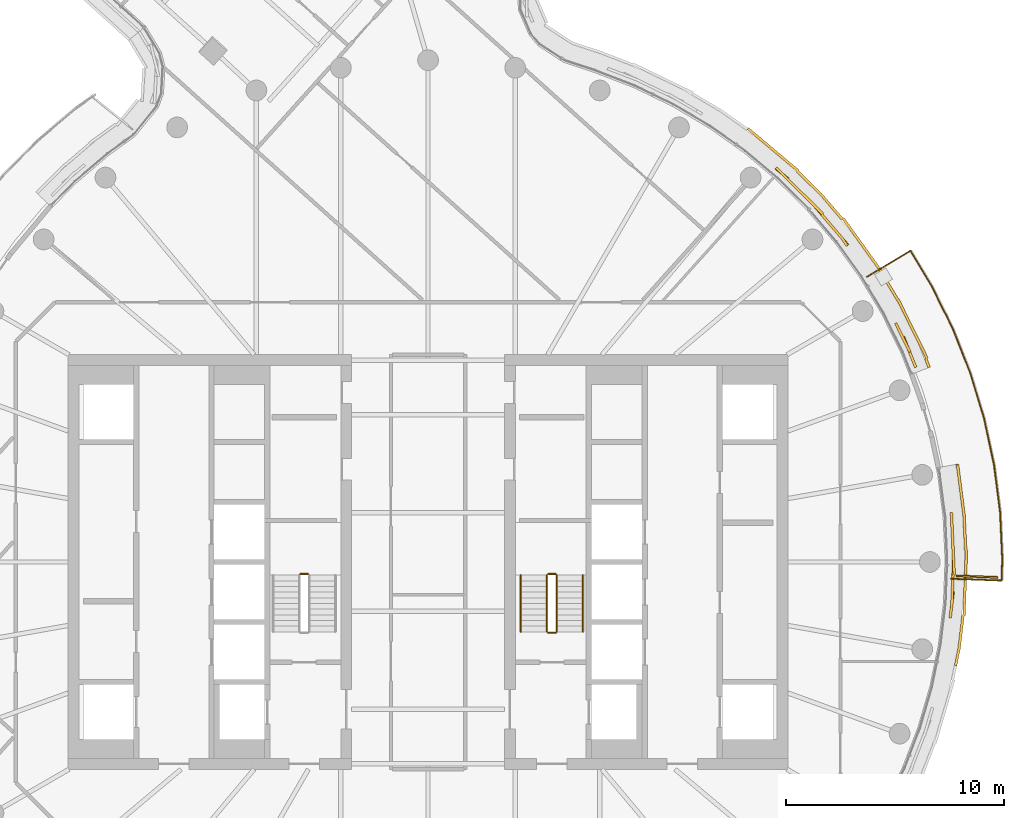
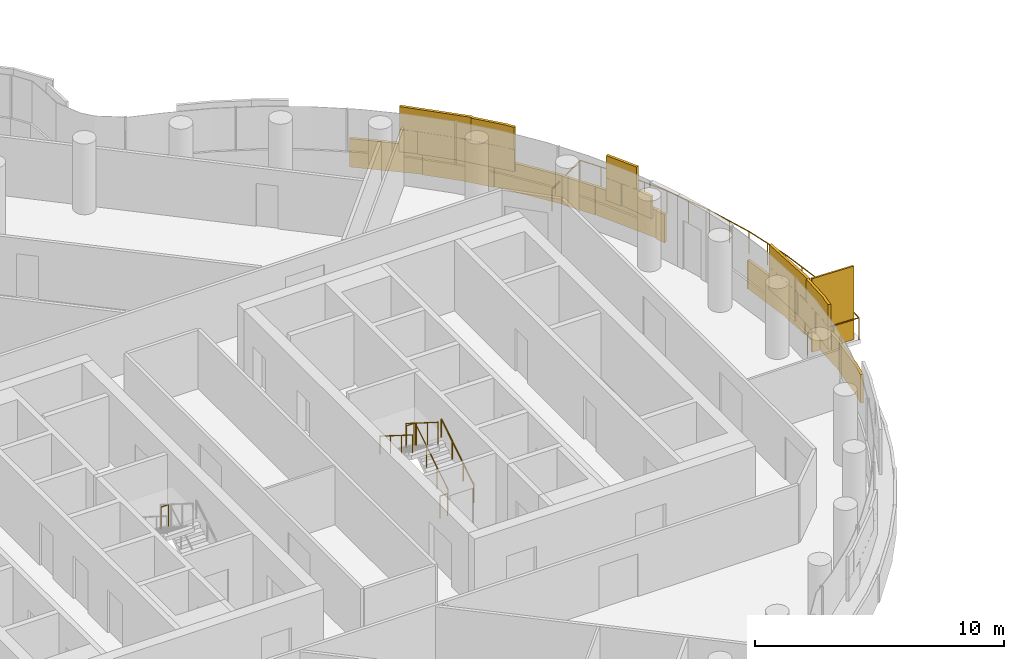
# One storey, part 28 of 31: 8 railings, 3 coverings, 1 shading device.
"""IFC4 building model written with IfcOpenShell, lengths in metres."""

from ifc_helpers import new_model, si_unit, direction, frame, origin, origin_2d, place, context, subcontext, project, spatial, rectangle, circle, extrude, material, layer, layer_set, type_object, element, save


model = new_model("IFC4")

# Units and contexts
model_context = context("Model", 3, precision=1e-05, world=origin(), true_north=direction((0.0, 1.0)))
body_context = subcontext(model_context, "Body", "Model", "MODEL_VIEW")
ifc_project = project(units=[si_unit("LENGTHUNIT", "METRE"), si_unit("AREAUNIT", "SQUARE_METRE"), si_unit("VOLUMEUNIT", "CUBIC_METRE"), si_unit("PLANEANGLEUNIT", "RADIAN"), si_unit("MASSUNIT", "GRAM", prefix="KILO")], contexts=[model_context])

# Site, building, storey
site_placement = place(None, origin())
site = spatial("IfcSite", under=ifc_project, at=site_placement, CompositionType="ELEMENT")
building_placement = place(site_placement, origin())
building = spatial("IfcBuilding", under=site, at=building_placement, Name="Tamarind Cross Interchange Tower", CompositionType="ELEMENT")
storey_placement = place(building_placement, frame((0.0, 0.0, 207.699951171875)))
storey = spatial("IfcBuildingStorey", under=building, at=storey_placement, Name="L52", CompositionType="ELEMENT", Elevation=207.699951171875)

# Railing
ifc_material_1 = material(Name="Stainless steel and laminated glass", Category="steel")
railing_type_1 = type_object("IfcRailingType", Name="Balcony guard", PredefinedType="BALUSTRADE", material=ifc_material_1)
railing_1_placement = place(storey_placement, frame((23.963623046875, -0.766357421875, 0.0)))
element("IfcRailing", 1, at=railing_1_placement, inside=storey, type_object=railing_type_1, Name="Balcony guard 06", PredefinedType="BALUSTRADE", context=body_context, shape_type="SweptSolid", body=[
    extrude(circle(Radius=0.02490234375, at=origin_2d()), frame((0.0, 0.0, 1.0751953125), z_axis=(0.999313680019, -0.037042798585, 0.0), x_axis=(0.037042798585, 0.999313680019, 0.0)), (0.0, 0.0, 1.0), 2.320068359375),
    extrude(circle(Radius=0.02490234375, at=origin_2d()), frame((2.318359375, -0.0859375, 1.0751953125), z_axis=(0.03689016981, 0.999319326027, 0.0), x_axis=(-0.999319326027, 0.03689016981, 0.0)), (0.0, 0.0, 1.0), 0.96630859375),
    extrude(circle(Radius=0.02490234375, at=origin_2d()), frame((2.35400390625, 0.879638671875, 1.0751953125), z_axis=(-0.045570585979, 0.998961121212, 0.0), x_axis=(-0.998961121212, -0.045570585979, 0.0)), (0.0, 0.0, 1.0), 2.175048828125),
    extrude(circle(Radius=0.02490234375, at=origin_2d()), frame((2.2548828125, 3.052490234375, 1.0751953125), z_axis=(-0.127957091824, 0.991779704699, 0.0), x_axis=(-0.991779704699, -0.127957091824, 0.0)), (0.0, 0.0, 1.0), 2.175048828125),
    extrude(circle(Radius=0.02490234375, at=origin_2d()), frame((1.9765625, 5.209716796875, 1.0751953125), z_axis=(-0.209437106955, 0.977822119933, 0.0), x_axis=(-0.977822119933, -0.209437106955, 0.0)), (0.0, 0.0, 1.0), 2.17529296875),
    extrude(circle(Radius=0.02490234375, at=origin_2d()), frame((1.52099609375, 7.336669921875, 1.0751953125), z_axis=(-0.289468424656, 0.957187563191, 0.0), x_axis=(-0.957187563191, -0.289468424656, 0.0)), (0.0, 0.0, 1.0), 2.175048828125),
    extrude(circle(Radius=0.02490234375, at=origin_2d()), frame((0.891357421875, 9.418701171875, 1.0751953125), z_axis=(-0.367439931593, 0.930047255074, 0.0), x_axis=(-0.930047255074, -0.367439931593, 0.0)), (0.0, 0.0, 1.0), 2.17529296875),
    extrude(circle(Radius=0.02490234375, at=origin_2d()), frame((0.092041015625, 11.44189453125, 1.0751953125), z_axis=(-0.443123395184, 0.896460627491, 0.0), x_axis=(-0.896460627491, -0.443123395184, 0.0)), (0.0, 0.0, 1.0), 2.175048828125),
    extrude(circle(Radius=0.02490234375, at=origin_2d()), frame((-0.871826171875, 13.391845703125, 1.0751953125), z_axis=(-0.515618666149, 0.856818178564, 0.0), x_axis=(-0.856818178564, -0.515618666149, 0.0)), (0.0, 0.0, 1.0), 1.917724609375),
    extrude(circle(Radius=0.02490234375, at=origin_2d()), frame((-1.860595703125, 15.034912109375, 1.0751953125), z_axis=(-0.856851544285, -0.515563217324, 0.0), x_axis=(0.515563217324, -0.856851544285, 0.0)), (0.0, 0.0, 1.0), 2.31982421875),
    extrude(circle(Radius=0.02001953125, at=origin_2d()), origin(), (0.0, 0.0, 1.0), 1.050048828125),
    extrude(circle(Radius=0.02001953125, at=origin_2d()), frame((1.1591796875, -0.04296875, 0.0)), (0.0, 0.0, 1.0), 1.050048828125),
    extrude(circle(Radius=0.02001953125, at=origin_2d()), frame((2.318359375, -0.0859375, 0.0)), (0.0, 0.0, 1.0), 1.050048828125),
    extrude(circle(Radius=0.02001953125, at=origin_2d()), frame((2.35400390625, 0.879638671875, 0.0)), (0.0, 0.0, 1.0), 1.050048828125),
    extrude(circle(Radius=0.02001953125, at=origin_2d()), frame((2.304443359375, 1.966064453125, 0.0)), (0.0, 0.0, 1.0), 1.050048828125),
    extrude(circle(Radius=0.02001953125, at=origin_2d()), frame((2.2548828125, 3.052490234375, 0.0)), (0.0, 0.0, 1.0), 1.050048828125),
    extrude(circle(Radius=0.02001953125, at=origin_2d()), frame((2.11572265625, 4.131103515625, 0.0)), (0.0, 0.0, 1.0), 1.050048828125),
    extrude(circle(Radius=0.02001953125, at=origin_2d()), frame((1.9765625, 5.209716796875, 0.0)), (0.0, 0.0, 1.0), 1.050048828125),
    extrude(circle(Radius=0.02001953125, at=origin_2d()), frame((1.748779296875, 6.273193359375, 0.0)), (0.0, 0.0, 1.0), 1.050048828125),
    extrude(circle(Radius=0.02001953125, at=origin_2d()), frame((1.52099609375, 7.336669921875, 0.0)), (0.0, 0.0, 1.0), 1.050048828125),
    extrude(circle(Radius=0.02001953125, at=origin_2d()), frame((1.2060546875, 8.377685546875, 0.0)), (0.0, 0.0, 1.0), 1.050048828125),
    extrude(circle(Radius=0.02001953125, at=origin_2d()), frame((0.891357421875, 9.418701171875, 0.0)), (0.0, 0.0, 1.0), 1.050048828125),
    extrude(circle(Radius=0.02001953125, at=origin_2d()), frame((0.49169921875, 10.43017578125, 0.0)), (0.0, 0.0, 1.0), 1.050048828125),
    extrude(circle(Radius=0.02001953125, at=origin_2d()), frame((0.092041015625, 11.44189453125, 0.0)), (0.0, 0.0, 1.0), 1.050048828125),
    extrude(circle(Radius=0.02001953125, at=origin_2d()), frame((-0.389892578125, 12.4169921875, 0.0)), (0.0, 0.0, 1.0), 1.050048828125),
    extrude(circle(Radius=0.02001953125, at=origin_2d()), frame((-0.871826171875, 13.391845703125, 0.0)), (0.0, 0.0, 1.0), 1.050048828125),
    extrude(circle(Radius=0.02001953125, at=origin_2d()), frame((-1.3662109375, 14.21337890625, 0.0)), (0.0, 0.0, 1.0), 1.050048828125),
    extrude(circle(Radius=0.02001953125, at=origin_2d()), frame((-1.860595703125, 15.034912109375, 0.0)), (0.0, 0.0, 1.0), 1.050048828125),
    extrude(circle(Radius=0.02001953125, at=origin_2d()), frame((-2.8544921875, 14.43701171875, 0.0)), (0.0, 0.0, 1.0), 1.050048828125),
    extrude(circle(Radius=0.02001953125, at=origin_2d()), frame((-3.848388671875, 13.8388671875, 0.0)), (0.0, 0.0, 1.0), 1.050048828125),
])

# Shading device
ifc_material_2 = material(Name="Bronze-finish aluminium louvre", Category="aluminium")
ifc_layer_1 = layer(ifc_material_2, 0.080078125)
ifc_layer_set_1 = layer_set([ifc_layer_1], Name="Bronze-finish aluminium louvre")
shading_device_type = type_object("IfcShadingDeviceType", Name="Operable louvre bay", PredefinedType="JALOUSIE", material=ifc_layer_set_1)
shading_device_placement = place(storey_placement, origin())
element("IfcShadingDevice", 2, at=shading_device_placement, inside=storey, type_object=shading_device_type, Name="LVR-L52-BAL06", PredefinedType="JALOUSIE", context=body_context, shape_type="SweptSolid", body=[
    extrude(rectangle(XDim=1.89990234375, YDim=0.080078125, at=origin_2d()), frame((25.16796875, -0.6708984375, 0.0), z_axis=(0.0, 0.0, 1.0), x_axis=(0.999314350871, -0.037024696392, 0.0)), (0.0, 0.0, 1.0), 3.60009765625),
])

# Railings
ifc_material_3 = material(Name="Stair guard")
railing_type_2 = type_object("IfcRailingType", Name="Stair guard", PredefinedType="GUARDRAIL", material=ifc_material_3)
railing_2_placement = place(storey_placement, frame((-5.5, -0.550048828125, 1.800048828125)))
element("IfcRailing", 3, at=railing_2_placement, inside=storey, type_object=railing_type_2, Name="L52 ST1 stair guard 2", PredefinedType="GUARDRAIL", context=body_context, shape_type="SweptSolid", body=[
    extrude(circle(Radius=0.02392578125, at=origin_2d()), frame((0.0, 0.0, 1.076171875), z_axis=(-1.0, 0.0, 0.0), x_axis=(0.0, -1.0, 0.0)), (0.0, 0.0, 1.0), 0.35009765625),
    extrude(circle(Radius=0.02099609375, at=origin_2d()), origin(), (0.0, 0.0, 1.0), 1.052001953125),
    extrude(circle(Radius=0.02099609375, at=origin_2d()), frame((-0.35009765625, 0.0, 0.0)), (0.0, 0.0, 1.0), 1.052001953125),
])
railing_3_placement = place(storey_placement, frame((5.89990234375, -3.199951171875, 0.16357421875)))
element("IfcRailing", 4, at=railing_3_placement, inside=storey, type_object=railing_type_2, Name="L52 ST2 stair guard 1", PredefinedType="GUARDRAIL", context=body_context, shape_type="SweptSolid", body=[
    extrude(circle(Radius=0.02392578125, at=origin_2d()), frame((0.0, 0.0, 1.076171875), z_axis=(0.0, 0.846301844409, 0.532703658848), x_axis=(-1.0, 0.0, 0.0)), (0.0, 0.0, 1.0), 3.072021484375),
    extrude(circle(Radius=0.02099609375, at=origin_2d()), origin(), (0.0, 0.0, 1.0), 1.052001953125),
    extrude(circle(Radius=0.02099609375, at=origin_2d()), frame((0.0, 0.86669921875, 0.54541015625)), (0.0, 0.0, 1.0), 1.052001953125),
    extrude(circle(Radius=0.02099609375, at=origin_2d()), frame((0.0, 1.733154296875, 1.091064453125)), (0.0, 0.0, 1.0), 1.052001953125),
    extrude(circle(Radius=0.02099609375, at=origin_2d()), frame((0.0, 2.599853515625, 1.636474609375)), (0.0, 0.0, 1.0), 1.052001953125),
])
railing_4_placement = place(storey_placement, frame((5.85009765625, -0.550048828125, 1.800048828125)))
element("IfcRailing", 5, at=railing_4_placement, inside=storey, type_object=railing_type_2, Name="L52 ST2 stair guard 2", PredefinedType="GUARDRAIL", context=body_context, shape_type="SweptSolid", body=[
    extrude(circle(Radius=0.02392578125, at=origin_2d()), frame((0.0, 0.0, 1.076171875), z_axis=(-1.0, 0.0, 0.0), x_axis=(0.0, -1.0, 0.0)), (0.0, 0.0, 1.0), 0.35009765625),
    extrude(circle(Radius=0.02099609375, at=origin_2d()), origin(), (0.0, 0.0, 1.0), 1.052001953125),
    extrude(circle(Radius=0.02099609375, at=origin_2d()), frame((-0.35009765625, 0.0, 0.0)), (0.0, 0.0, 1.0), 1.052001953125),
])
railing_5_placement = place(storey_placement, frame((5.449951171875, -0.60009765625, 1.963623046875)))
element("IfcRailing", 6, at=railing_5_placement, inside=storey, type_object=railing_type_2, Name="L52 ST2 stair guard 3", PredefinedType="GUARDRAIL", context=body_context, shape_type="SweptSolid", body=[
    extrude(circle(Radius=0.02392578125, at=origin_2d()), frame((0.0, 0.0, 1.076171875), z_axis=(0.0, -0.846301844409, 0.532703658848), x_axis=(1.0, 0.0, 0.0)), (0.0, 0.0, 1.0), 3.072021484375),
    extrude(circle(Radius=0.02099609375, at=origin_2d()), origin(), (0.0, 0.0, 1.0), 1.052001953125),
    extrude(circle(Radius=0.02099609375, at=origin_2d()), frame((0.0, -0.86669921875, 0.54541015625)), (0.0, 0.0, 1.0), 1.052001953125),
    extrude(circle(Radius=0.02099609375, at=origin_2d()), frame((0.0, -1.733154296875, 1.091064453125)), (0.0, 0.0, 1.0), 1.052001953125),
    extrude(circle(Radius=0.02099609375, at=origin_2d()), frame((0.0, -2.599853515625, 1.636474609375)), (0.0, 0.0, 1.0), 1.052001953125),
])
railing_6_placement = place(storey_placement, frame((5.85009765625, -3.25, 0.0)))
element("IfcRailing", 7, at=railing_6_placement, inside=storey, type_object=railing_type_2, Name="L52 ST2 stair guard 4", PredefinedType="GUARDRAIL", context=body_context, shape_type="SweptSolid", body=[
    extrude(circle(Radius=0.02392578125, at=origin_2d()), frame((0.0, 0.0, 1.076171875), z_axis=(-1.0, 0.0, 0.0), x_axis=(0.0, -1.0, 0.0)), (0.0, 0.0, 1.0), 0.35009765625),
    extrude(circle(Radius=0.02099609375, at=origin_2d()), origin(), (0.0, 0.0, 1.0), 1.052001953125),
    extrude(circle(Radius=0.02099609375, at=origin_2d()), frame((-0.35009765625, 0.0, 0.0)), (0.0, 0.0, 1.0), 1.052001953125),
])
ifc_material_4 = material(Name="Stair handrail")
railing_type_3 = type_object("IfcRailingType", Name="Stair handrail", PredefinedType="HANDRAIL", material=ifc_material_4)
railing_7_placement = place(storey_placement, frame((7.10009765625, -3.199951171875, 0.16357421875)))
element("IfcRailing", 8, at=railing_7_placement, inside=storey, type_object=railing_type_3, Name="L52 ST2 stair handrail 1", PredefinedType="HANDRAIL", context=body_context, shape_type="SweptSolid", body=[
    extrude(circle(Radius=0.02392578125, at=origin_2d()), frame((0.0, 0.0, 0.8759765625), z_axis=(0.0, 0.846301844409, 0.532703658848), x_axis=(-1.0, 0.0, 0.0)), (0.0, 0.0, 1.0), 3.072021484375),
    extrude(circle(Radius=0.02099609375, at=origin_2d()), origin(), (0.0, 0.0, 1.0), 0.851806640625),
    extrude(circle(Radius=0.02099609375, at=origin_2d()), frame((0.0, 0.86669921875, 0.54541015625)), (0.0, 0.0, 1.0), 0.851806640625),
    extrude(circle(Radius=0.02099609375, at=origin_2d()), frame((0.0, 1.733154296875, 1.091064453125)), (0.0, 0.0, 1.0), 0.851806640625),
    extrude(circle(Radius=0.02099609375, at=origin_2d()), frame((0.0, 2.599853515625, 1.636474609375)), (0.0, 0.0, 1.0), 0.851806640625),
])
railing_8_placement = place(storey_placement, frame((4.25, -0.60009765625, 1.963623046875)))
element("IfcRailing", 9, at=railing_8_placement, inside=storey, type_object=railing_type_3, Name="L52 ST2 stair handrail 2", PredefinedType="HANDRAIL", context=body_context, shape_type="SweptSolid", body=[
    extrude(circle(Radius=0.02392578125, at=origin_2d()), frame((0.0, 0.0, 0.8759765625), z_axis=(0.0, -0.846301844409, 0.532703658848), x_axis=(1.0, 0.0, 0.0)), (0.0, 0.0, 1.0), 3.072021484375),
    extrude(circle(Radius=0.02099609375, at=origin_2d()), origin(), (0.0, 0.0, 1.0), 0.851806640625),
    extrude(circle(Radius=0.02099609375, at=origin_2d()), frame((0.0, -0.86669921875, 0.54541015625)), (0.0, 0.0, 1.0), 0.851806640625),
    extrude(circle(Radius=0.02099609375, at=origin_2d()), frame((0.0, -1.733154296875, 1.091064453125)), (0.0, 0.0, 1.0), 0.851806640625),
    extrude(circle(Radius=0.02099609375, at=origin_2d()), frame((0.0, -2.599853515625, 1.636474609375)), (0.0, 0.0, 1.0), 0.851806640625),
])

# Coverings
ifc_material_5 = material(Name="Terracotta", Category="masonry")
ifc_layer_2 = layer(ifc_material_5, 0.1201171875)
ifc_layer_set_2 = layer_set([ifc_layer_2], Name="Terracotta")
covering_type = type_object("IfcCoveringType", Name="Terracotta baguette screen unit", PredefinedType="MOLDING", material=ifc_layer_set_2)
covering_1_placement = place(storey_placement, origin())
element("IfcCovering", 10, at=covering_1_placement, inside=storey, type_object=covering_type, Name="SCR-L52-06-02", PredefinedType="MOLDING", context=body_context, shape_type="SweptSolid", body=[
    extrude(rectangle(XDim=1.232421875, YDim=0.1201171875, at=origin_2d()), frame((24.003662109375, -1.956787109375, 1.40380859375), z_axis=(0.0, 0.0, 1.0), x_axis=(0.119420963295, 0.992843710523, 0.0)), (0.0, 0.0, 1.0), 1.092041015625),
    extrude(rectangle(XDim=1.52001953125, YDim=0.1201171875, at=origin_2d()), frame((24.059814453125, -0.596923828125, 1.40380859375), z_axis=(0.0, 0.0, 1.0), x_axis=(0.037024696392, 0.999314350871, 0.0)), (0.0, 0.0, 1.0), 1.092041015625),
    extrude(rectangle(XDim=1.52001953125, YDim=0.1201171875, at=origin_2d()), frame((24.04931640625, 0.901611328125, 1.40380859375), z_axis=(0.0, 0.0, 1.0), x_axis=(-0.045624486728, 0.998958660912, 0.0)), (0.0, 0.0, 1.0), 1.092041015625),
    extrude(rectangle(XDim=0.630126953125, YDim=0.1201171875, at=origin_2d()), frame((24.0009765625, 1.960693359375, 1.40380859375), z_axis=(0.0, 0.0, 1.0), x_axis=(-0.045624486728, 0.998958660912, 0.0)), (0.0, 0.0, 1.0), 1.092041015625),
    extrude(rectangle(XDim=0.482421875, YDim=0.1201171875, at=origin_2d()), frame((23.958740234375, -2.3291015625, 2.50390625), z_axis=(0.0, 0.0, 1.0), x_axis=(0.119420963295, 0.992843710523, 0.0)), (0.0, 0.0, 1.0), 1.092041015625),
    extrude(rectangle(XDim=1.52001953125, YDim=0.1201171875, at=origin_2d()), frame((24.031982421875, -1.346435546875, 2.50390625), z_axis=(0.0, 0.0, 1.0), x_axis=(0.037024696392, 0.999314350871, 0.0)), (0.0, 0.0, 1.0), 1.092041015625),
    extrude(rectangle(XDim=1.52001953125, YDim=0.1201171875, at=origin_2d()), frame((24.08349609375, 0.152587890625, 2.50390625), z_axis=(0.0, 0.0, 1.0), x_axis=(-0.045624486728, 0.998958660912, 0.0)), (0.0, 0.0, 1.0), 1.092041015625),
    extrude(rectangle(XDim=1.380126953125, YDim=0.1201171875, at=origin_2d()), frame((24.01806640625, 1.586181640625, 2.50390625), z_axis=(0.0, 0.0, 1.0), x_axis=(-0.045624486728, 0.998958660912, 0.0)), (0.0, 0.0, 1.0), 1.092041015625),
    extrude(rectangle(XDim=0.84521484375, YDim=0.1201171875, at=origin_2d()), frame((24.263427734375, -4.3349609375, 0.00390625), z_axis=(0.0, 0.0, 1.0), x_axis=(0.201001463943, 0.9795909409, 0.0)), (0.0, 0.0, 1.0), 1.39208984375),
    extrude(rectangle(XDim=1.52001953125, YDim=0.1201171875, at=origin_2d()), frame((24.433837890625, -3.185791015625, 0.00390625), z_axis=(0.0, 0.0, 1.0), x_axis=(0.119420963295, 0.992843710523, 0.0)), (0.0, 0.0, 1.0), 1.39208984375),
    extrude(rectangle(XDim=1.52001953125, YDim=0.1201171875, at=origin_2d()), frame((24.593505859375, -1.695068359375, 0.00390625), z_axis=(0.0, 0.0, 1.0), x_axis=(0.037024696392, 0.999314350871, 0.0)), (0.0, 0.0, 1.0), 1.39208984375),
    extrude(rectangle(XDim=1.52001953125, YDim=0.1201171875, at=origin_2d()), frame((24.649169921875, -0.196044921875, 0.00390625), z_axis=(0.0, 0.0, 1.0), x_axis=(0.037024696392, 0.999314350871, 0.0)), (0.0, 0.0, 1.0), 1.39208984375),
    extrude(rectangle(XDim=1.52001953125, YDim=0.1201171875, at=origin_2d()), frame((24.605712890625, 1.302490234375, 0.00390625), z_axis=(0.0, 0.0, 1.0), x_axis=(-0.045624486728, 0.998958660912, 0.0)), (0.0, 0.0, 1.0), 1.39208984375),
    extrude(rectangle(XDim=1.52001953125, YDim=0.1201171875, at=origin_2d()), frame((24.48291015625, 2.796142578125, 0.00390625), z_axis=(0.0, 0.0, 1.0), x_axis=(-0.127962008342, 0.991779070368, 0.0)), (0.0, 0.0, 1.0), 1.39208984375),
    extrude(rectangle(XDim=0.933349609375, YDim=0.1201171875, at=origin_2d()), frame((24.32861328125, 3.992919921875, 0.00390625), z_axis=(0.0, 0.0, 1.0), x_axis=(-0.127962008342, 0.991779070368, 0.0)), (0.0, 0.0, 1.0), 1.39208984375),
])
covering_2_placement = place(storey_placement, origin())
element("IfcCovering", 11, at=covering_2_placement, inside=storey, type_object=covering_type, Name="SCR-L52-06-03", PredefinedType="MOLDING", context=body_context, shape_type="SweptSolid", body=[
    extrude(rectangle(XDim=1.52001953125, YDim=0.1201171875, at=origin_2d()), frame((22.072265625, 9.626220703125, 1.40380859375), z_axis=(0.0, 0.0, 1.0), x_axis=(-0.367513773146, 0.930018078613, 0.0)), (0.0, 0.0, 1.0), 1.092041015625),
    extrude(rectangle(XDim=0.72607421875, YDim=0.1201171875, at=origin_2d()), frame((21.593017578125, 10.624755859375, 1.40380859375), z_axis=(0.0, 0.0, 1.0), x_axis=(-0.443058811505, 0.896492548518, 0.0)), (0.0, 0.0, 1.0), 1.092041015625),
    extrude(rectangle(XDim=1.47607421875, YDim=0.1201171875, at=origin_2d()), frame((21.75927734375, 10.28857421875, 2.50390625), z_axis=(0.0, 0.0, 1.0), x_axis=(-0.443058811505, 0.896492548518, 0.0)), (0.0, 0.0, 1.0), 1.092041015625),
    extrude(rectangle(XDim=0.03076171875, YDim=0.1201171875, at=origin_2d()), frame((24.241455078125, 4.466796875, 0.00390625), z_axis=(0.0, 0.0, 1.0), x_axis=(-0.209425419705, 0.977824623121, 0.0)), (0.0, 0.0, 1.0), 1.39208984375),
    extrude(rectangle(XDim=0.43408203125, YDim=0.1201171875, at=origin_2d()), frame((22.889892578125, 9.119140625, 0.00390625), z_axis=(0.0, 0.0, 1.0), x_axis=(-0.367513773146, 0.930018078613, 0.0)), (0.0, 0.0, 1.0), 1.39208984375),
    extrude(rectangle(XDim=1.52001953125, YDim=0.1201171875, at=origin_2d()), frame((22.53759765625, 10.009033203125, 0.00390625), z_axis=(0.0, 0.0, 1.0), x_axis=(-0.443058811505, 0.896492548518, 0.0)), (0.0, 0.0, 1.0), 1.39208984375),
    extrude(rectangle(XDim=1.52001953125, YDim=0.1201171875, at=origin_2d()), frame((21.873046875, 11.353759765625, 0.00390625), z_axis=(0.0, 0.0, 1.0), x_axis=(-0.443058811505, 0.896492548518, 0.0)), (0.0, 0.0, 1.0), 1.39208984375),
    extrude(rectangle(XDim=1.24609375, YDim=0.1201171875, at=origin_2d()), frame((21.208740234375, 12.54296875, 0.00390625), z_axis=(0.0, 0.0, 1.0), x_axis=(-0.515577308909, 0.856843065292, 0.0)), (0.0, 0.0, 1.0), 1.39208984375),
])
covering_3_placement = place(storey_placement, origin())
element("IfcCovering", 12, at=covering_3_placement, inside=storey, type_object=covering_type, Name="SCR-L52-06-04", PredefinedType="MOLDING", context=body_context, shape_type="SweptSolid", body=[
    extrude(rectangle(XDim=1.09375, YDim=0.1201171875, at=origin_2d()), frame((18.890625, 14.9375, 1.40380859375), z_axis=(0.0, 0.0, 1.0), x_axis=(-0.64957723968, 0.760295606781, 0.0)), (0.0, 0.0, 1.0), 1.092041015625),
    extrude(rectangle(XDim=1.52001953125, YDim=0.1201171875, at=origin_2d()), frame((18.051513671875, 15.919677734375, 1.40380859375), z_axis=(0.0, 0.0, 1.0), x_axis=(-0.64957723968, 0.760295606781, 0.0)), (0.0, 0.0, 1.0), 1.092041015625),
    extrude(rectangle(XDim=1.52001953125, YDim=0.1201171875, at=origin_2d()), frame((17.023681640625, 17.010498046875, 1.40380859375), z_axis=(0.0, 0.0, 1.0), x_axis=(-0.710143317658, 0.704057148523, 0.0)), (0.0, 0.0, 1.0), 1.092041015625),
    extrude(rectangle(XDim=0.768798828125, YDim=0.1201171875, at=origin_2d()), frame((16.220458984375, 17.804443359375, 1.40380859375), z_axis=(0.0, 0.0, 1.0), x_axis=(-0.765858396687, 0.643009266048, 0.0)), (0.0, 0.0, 1.0), 1.092041015625),
    extrude(rectangle(XDim=0.34375, YDim=0.1201171875, at=origin_2d()), frame((19.115234375, 14.63720703125, 2.50390625), z_axis=(0.0, 0.0, 1.0), x_axis=(-0.584573890505, 0.811340475102, 0.0)), (0.0, 0.0, 1.0), 1.092041015625),
    extrude(rectangle(XDim=1.52001953125, YDim=0.1201171875, at=origin_2d()), frame((18.53857421875, 15.349365234375, 2.50390625), z_axis=(0.0, 0.0, 1.0), x_axis=(-0.64957723968, 0.760295606781, 0.0)), (0.0, 0.0, 1.0), 1.092041015625),
    extrude(rectangle(XDim=1.52001953125, YDim=0.1201171875, at=origin_2d()), frame((17.55615234375, 16.482421875, 2.50390625), z_axis=(0.0, 0.0, 1.0), x_axis=(-0.710143317658, 0.704057148523, 0.0)), (0.0, 0.0, 1.0), 1.092041015625),
    extrude(rectangle(XDim=1.52001953125, YDim=0.1201171875, at=origin_2d()), frame((16.490966796875, 17.53857421875, 2.50390625), z_axis=(0.0, 0.0, 1.0), x_axis=(-0.710143317658, 0.704057148523, 0.0)), (0.0, 0.0, 1.0), 1.092041015625),
    extrude(rectangle(XDim=0.27392578125, YDim=0.1201171875, at=origin_2d()), frame((20.81689453125, 13.194091796875, 0.00390625), z_axis=(0.0, 0.0, 1.0), x_axis=(-0.515577308909, 0.856843065292, 0.0)), (0.0, 0.0, 1.0), 1.39208984375),
    extrude(rectangle(XDim=1.52001953125, YDim=0.1201171875, at=origin_2d()), frame((20.335205078125, 13.92578125, 0.00390625), z_axis=(0.0, 0.0, 1.0), x_axis=(-0.584573890505, 0.811340475102, 0.0)), (0.0, 0.0, 1.0), 1.39208984375),
    extrude(rectangle(XDim=1.52001953125, YDim=0.1201171875, at=origin_2d()), frame((19.458251953125, 15.142822265625, 0.00390625), z_axis=(0.0, 0.0, 1.0), x_axis=(-0.584573890505, 0.811340475102, 0.0)), (0.0, 0.0, 1.0), 1.39208984375),
    extrude(rectangle(XDim=1.52001953125, YDim=0.1201171875, at=origin_2d()), frame((18.490966796875, 16.288818359375, 0.00390625), z_axis=(0.0, 0.0, 1.0), x_axis=(-0.64957723968, 0.760295606781, 0.0)), (0.0, 0.0, 1.0), 1.39208984375),
    extrude(rectangle(XDim=1.52001953125, YDim=0.1201171875, at=origin_2d()), frame((17.46484375, 17.38134765625, 0.00390625), z_axis=(0.0, 0.0, 1.0), x_axis=(-0.710143317658, 0.704057148523, 0.0)), (0.0, 0.0, 1.0), 1.39208984375),
    extrude(rectangle(XDim=1.52001953125, YDim=0.1201171875, at=origin_2d()), frame((16.382080078125, 18.41796875, 0.00390625), z_axis=(0.0, 0.0, 1.0), x_axis=(-0.765858396687, 0.643009266048, 0.0)), (0.0, 0.0, 1.0), 1.39208984375),
    extrude(rectangle(XDim=1.504638671875, YDim=0.1201171875, at=origin_2d()), frame((15.2392578125, 19.377685546875, 0.00390625), z_axis=(0.0, 0.0, 1.0), x_axis=(-0.765858396687, 0.643009266048, 0.0)), (0.0, 0.0, 1.0), 1.39208984375),
])

save(model, "model.ifc")
